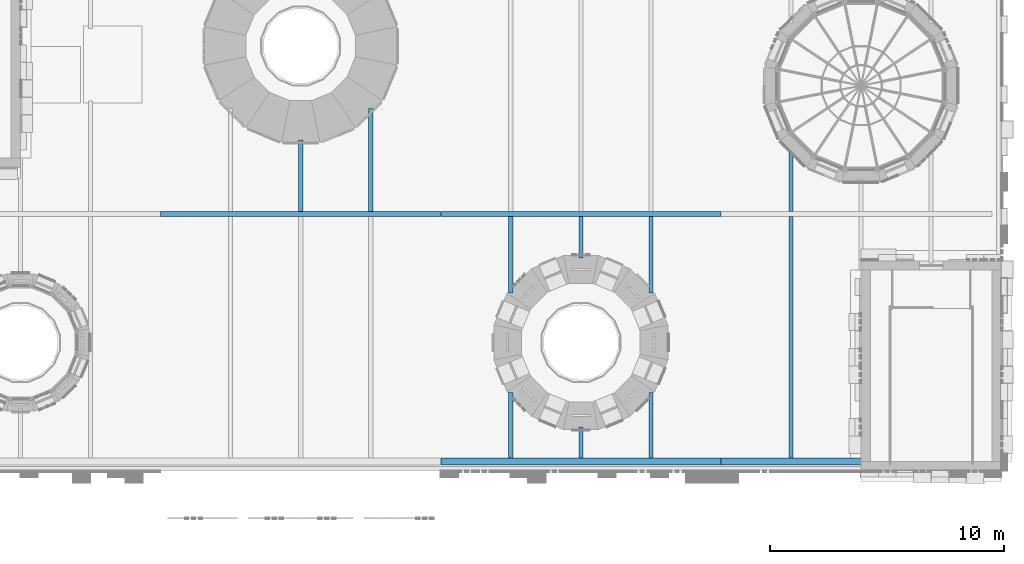
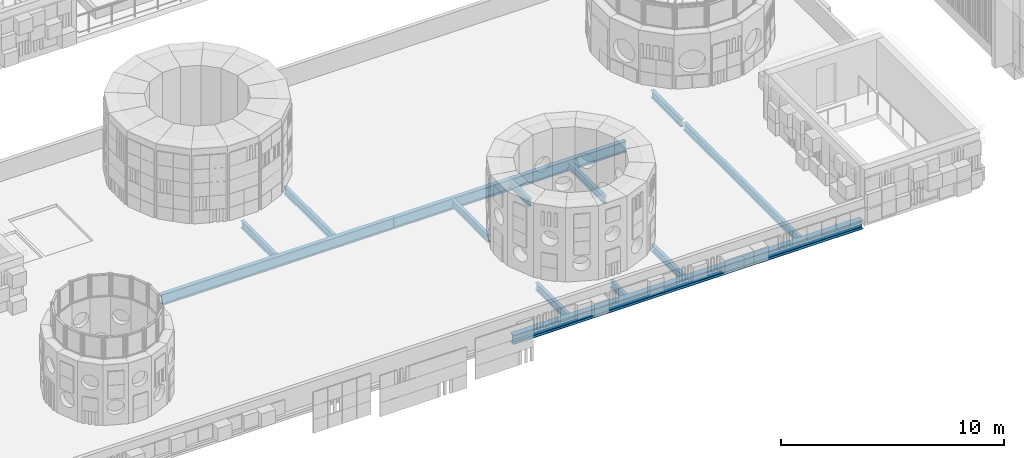
# One storey, part 9 of 98: 10 members, 4 beams.
"""IFC4 building model written with IfcOpenShell, lengths in metres."""

from ifc_helpers import new_model, si_unit, direction, frame, origin, origin_2d, place, context, subcontext, project, spatial, i_section, extrude, material, material_profile, profile_set, type_object, element, save


model = new_model("IFC4")

# Units and contexts
model_context = context("Model", 3, precision=1e-05, world=origin(), true_north=direction((0.0, 1.0)))
body_context = subcontext(model_context, "Body", "Model", "MODEL_VIEW")
ifc_project = project(units=[si_unit("LENGTHUNIT", "METRE"), si_unit("AREAUNIT", "SQUARE_METRE"), si_unit("VOLUMEUNIT", "CUBIC_METRE"), si_unit("PLANEANGLEUNIT", "RADIAN"), si_unit("MASSUNIT", "GRAM", prefix="KILO")], contexts=[model_context])

# Site, building, storey
site_placement = place(None, origin())
site = spatial("IfcSite", under=ifc_project, at=site_placement, CompositionType="ELEMENT")
building_placement = place(site_placement, origin())
building = spatial("IfcBuilding", under=site, at=building_placement, Name="Sun Court Science Centre", CompositionType="ELEMENT")
storey_placement = place(building_placement, frame((0.0, 0.0, 15.75)))
storey = spatial("IfcBuildingStorey", under=building, at=storey_placement, Name="L03", CompositionType="ELEMENT", Elevation=15.75)

# Members
ifc_material_1 = material(Name="Steel S275", Category="steel")
ifc_material_profile_1 = material_profile(ifc_material_1, i_section(OverallWidth=0.179931640625, OverallDepth=0.39990234375, WebThickness=0.008544921875, FlangeThickness=0.013427734375, FilletRadius=0.02099609375, at=origin_2d()), Name="IPE 400")
ifc_profile_set_1 = profile_set([ifc_material_profile_1], Name="Steel S275")
member_type = type_object("IfcMemberType", Name="Roof purlin IPE 400", PredefinedType="PURLIN", material=ifc_profile_set_1)
member_1_placement = place(storey_placement, frame((42.0, 17.110107421875, -0.35009765625), z_axis=(0.0, 1.0, 0.0), x_axis=(-1.0, 0.0, 0.0)))
element("IfcMember", 1, at=member_1_placement, inside=storey, type_object=member_type, Name="Roof purlin", PredefinedType="PURLIN", context=body_context, shape_type="SweptSolid", body=[
    extrude(i_section(OverallWidth=0.179931640625, OverallDepth=0.39990234375, WebThickness=0.008544921875, FlangeThickness=0.013427734375, FilletRadius=0.02099609375, at=origin_2d()), origin(), (0.0, 0.0, 1.0), 3.070556640625),
])
member_2_placement = place(storey_placement, frame((45.0, 17.110107421875, -0.35009765625), z_axis=(0.0, 1.0, 0.0), x_axis=(-1.0, 0.0, 0.0)))
element("IfcMember", 2, at=member_2_placement, inside=storey, type_object=member_type, Name="Roof purlin", PredefinedType="PURLIN", context=body_context, shape_type="SweptSolid", body=[
    extrude(i_section(OverallWidth=0.179931640625, OverallDepth=0.39990234375, WebThickness=0.008544921875, FlangeThickness=0.013427734375, FilletRadius=0.02099609375, at=origin_2d()), origin(), (0.0, 0.0, 1.0), 4.40576171875),
])
member_3_placement = place(storey_placement, frame((51.0, 6.550048828125, -0.35009765625), z_axis=(0.0, 1.0, 0.0), x_axis=(-1.0, 0.0, 0.0)))
element("IfcMember", 3, at=member_3_placement, inside=storey, type_object=member_type, Name="Roof purlin", PredefinedType="PURLIN", context=body_context, shape_type="SweptSolid", body=[
    extrude(i_section(OverallWidth=0.179931640625, OverallDepth=0.39990234375, WebThickness=0.008544921875, FlangeThickness=0.013427734375, FilletRadius=0.02099609375, at=origin_2d()), origin(), (0.0, 0.0, 1.0), 2.820556640625),
])
member_4_placement = place(storey_placement, frame((51.0, 13.62939453125, -0.35009765625), z_axis=(0.0, 1.0, 0.0), x_axis=(-1.0, 0.0, 0.0)))
element("IfcMember", 4, at=member_4_placement, inside=storey, type_object=member_type, Name="Roof purlin", PredefinedType="PURLIN", context=body_context, shape_type="SweptSolid", body=[
    extrude(i_section(OverallWidth=0.179931640625, OverallDepth=0.39990234375, WebThickness=0.008544921875, FlangeThickness=0.013427734375, FilletRadius=0.02099609375, at=origin_2d()), origin(), (0.0, 0.0, 1.0), 3.260498046875),
])
member_5_placement = place(storey_placement, frame((54.0, 6.550048828125, -0.35009765625), z_axis=(0.0, 1.0, 0.0), x_axis=(-1.0, 0.0, 0.0)))
element("IfcMember", 5, at=member_5_placement, inside=storey, type_object=member_type, Name="Roof purlin", PredefinedType="PURLIN", context=body_context, shape_type="SweptSolid", body=[
    extrude(i_section(OverallWidth=0.179931640625, OverallDepth=0.39990234375, WebThickness=0.008544921875, FlangeThickness=0.013427734375, FilletRadius=0.02099609375, at=origin_2d()), origin(), (0.0, 0.0, 1.0), 1.322998046875),
])
member_6_placement = place(storey_placement, frame((54.0, 15.126953125, -0.35009765625), z_axis=(0.0, 1.0, 0.0), x_axis=(-1.0, 0.0, 0.0)))
element("IfcMember", 6, at=member_6_placement, inside=storey, type_object=member_type, Name="Roof purlin", PredefinedType="PURLIN", context=body_context, shape_type="SweptSolid", body=[
    extrude(i_section(OverallWidth=0.179931640625, OverallDepth=0.39990234375, WebThickness=0.008544921875, FlangeThickness=0.013427734375, FilletRadius=0.02099609375, at=origin_2d()), origin(), (0.0, 0.0, 1.0), 1.762939453125),
])
member_7_placement = place(storey_placement, frame((57.0, 6.550048828125, -0.35009765625), z_axis=(0.0, 1.0, 0.0), x_axis=(-1.0, 0.0, 0.0)))
element("IfcMember", 7, at=member_7_placement, inside=storey, type_object=member_type, Name="Roof purlin", PredefinedType="PURLIN", context=body_context, shape_type="SweptSolid", body=[
    extrude(i_section(OverallWidth=0.179931640625, OverallDepth=0.39990234375, WebThickness=0.008544921875, FlangeThickness=0.013427734375, FilletRadius=0.02099609375, at=origin_2d()), origin(), (0.0, 0.0, 1.0), 2.820556640625),
])
member_8_placement = place(storey_placement, frame((57.0, 13.62939453125, -0.35009765625), z_axis=(0.0, 1.0, 0.0), x_axis=(-1.0, 0.0, 0.0)))
element("IfcMember", 8, at=member_8_placement, inside=storey, type_object=member_type, Name="Roof purlin", PredefinedType="PURLIN", context=body_context, shape_type="SweptSolid", body=[
    extrude(i_section(OverallWidth=0.179931640625, OverallDepth=0.39990234375, WebThickness=0.008544921875, FlangeThickness=0.013427734375, FilletRadius=0.02099609375, at=origin_2d()), origin(), (0.0, 0.0, 1.0), 3.260498046875),
])
member_9_placement = place(storey_placement, frame((63.0, 6.550048828125, -0.35009765625), z_axis=(0.0, 1.0, 0.0), x_axis=(-1.0, 0.0, 0.0)))
element("IfcMember", 9, at=member_9_placement, inside=storey, type_object=member_type, Name="Roof purlin", PredefinedType="PURLIN", context=body_context, shape_type="SweptSolid", body=[
    extrude(i_section(OverallWidth=0.179931640625, OverallDepth=0.39990234375, WebThickness=0.008544921875, FlangeThickness=0.013427734375, FilletRadius=0.02099609375, at=origin_2d()), origin(), (0.0, 0.0, 1.0), 10.33984375),
])
member_10_placement = place(storey_placement, frame((63.0, 17.110107421875, -0.35009765625), z_axis=(0.0, 1.0, 0.0), x_axis=(-1.0, 0.0, 0.0)))
element("IfcMember", 10, at=member_10_placement, inside=storey, type_object=member_type, Name="Roof purlin", PredefinedType="PURLIN", context=body_context, shape_type="SweptSolid", body=[
    extrude(i_section(OverallWidth=0.179931640625, OverallDepth=0.39990234375, WebThickness=0.008544921875, FlangeThickness=0.013427734375, FilletRadius=0.02099609375, at=origin_2d()), origin(), (0.0, 0.0, 1.0), 2.705810546875),
])

# Beams
ifc_material_2 = material(Name="Steel S355", Category="steel")
ifc_material_profile_2 = material_profile(ifc_material_2, i_section(OverallWidth=0.300048828125, OverallDepth=0.489990234375, WebThickness=0.011962890625, FlangeThickness=0.02294921875, FilletRadius=0.027099609375, at=origin_2d()), Name="HEA 500")
ifc_profile_set_2 = profile_set([ifc_material_profile_2], Name="Steel S355")
beam_type_1 = type_object("IfcBeamType", Name="Steel beam HEA 500", PredefinedType="BEAM", material=ifc_profile_set_2)
beam_1_placement = place(storey_placement, frame((48.0009765625, 6.39990234375, -0.39501953125), z_axis=(1.0, 0.0, 0.0), x_axis=(0.0, 1.0, 0.0)))
element("IfcBeam", 11, at=beam_1_placement, inside=storey, type_object=beam_type_1, Name="Roof girder line 1", PredefinedType="BEAM", context=body_context, shape_type="SweptSolid", body=[
    extrude(i_section(OverallWidth=0.300048828125, OverallDepth=0.489990234375, WebThickness=0.011962890625, FlangeThickness=0.02294921875, FilletRadius=0.027099609375, at=origin_2d()), origin(), (0.0, 0.0, 1.0), 11.998046875),
])
beam_2_placement = place(storey_placement, frame((60.0009765625, 6.39990234375, -0.39501953125), z_axis=(1.0, 0.0, 0.0), x_axis=(0.0, 1.0, 0.0)))
element("IfcBeam", 12, at=beam_2_placement, inside=storey, type_object=beam_type_1, Name="Roof girder line 1", PredefinedType="BEAM", context=body_context, shape_type="SweptSolid", body=[
    extrude(i_section(OverallWidth=0.300048828125, OverallDepth=0.489990234375, WebThickness=0.011962890625, FlangeThickness=0.02294921875, FilletRadius=0.027099609375, at=origin_2d()), origin(), (0.0, 0.0, 1.0), 6.09912109375),
])
ifc_material_3 = material(Name="Steel S355", Category="steel")
ifc_material_profile_3 = material_profile(ifc_material_3, i_section(OverallWidth=0.219970703125, OverallDepth=0.60009765625, WebThickness=0.011962890625, FlangeThickness=0.01904296875, FilletRadius=0.02392578125, at=origin_2d()), Name="IPE 600")
ifc_profile_set_3 = profile_set([ifc_material_profile_3], Name="Steel S355")
beam_type_2 = type_object("IfcBeamType", Name="Steel beam IPE 600", PredefinedType="BEAM", material=ifc_profile_set_3)
for number, where, z_axis, x_axis, name in (
    (13, (36.0009765625, 17.0, -0.449951171875), (1.0, 0.0, 0.0), (0.0, 1.0, 0.0), "Roof girder line 2"),
    (14, (48.0009765625, 17.0, -0.449951171875), (1.0, 0.0, 0.0), (0.0, 1.0, 0.0), "Roof girder line 2"),
):
    element("IfcBeam", number, at=place(storey_placement, frame(where, z_axis=z_axis, x_axis=x_axis)), inside=storey, type_object=beam_type_2, Name=name, PredefinedType="BEAM", context=body_context, shape_type="SweptSolid", body=[
        extrude(i_section(OverallWidth=0.219970703125, OverallDepth=0.60009765625, WebThickness=0.011962890625, FlangeThickness=0.01904296875, FilletRadius=0.02392578125, at=origin_2d()), origin(), (0.0, 0.0, 1.0), 11.998046875),
    ])

save(model, "model.ifc")
